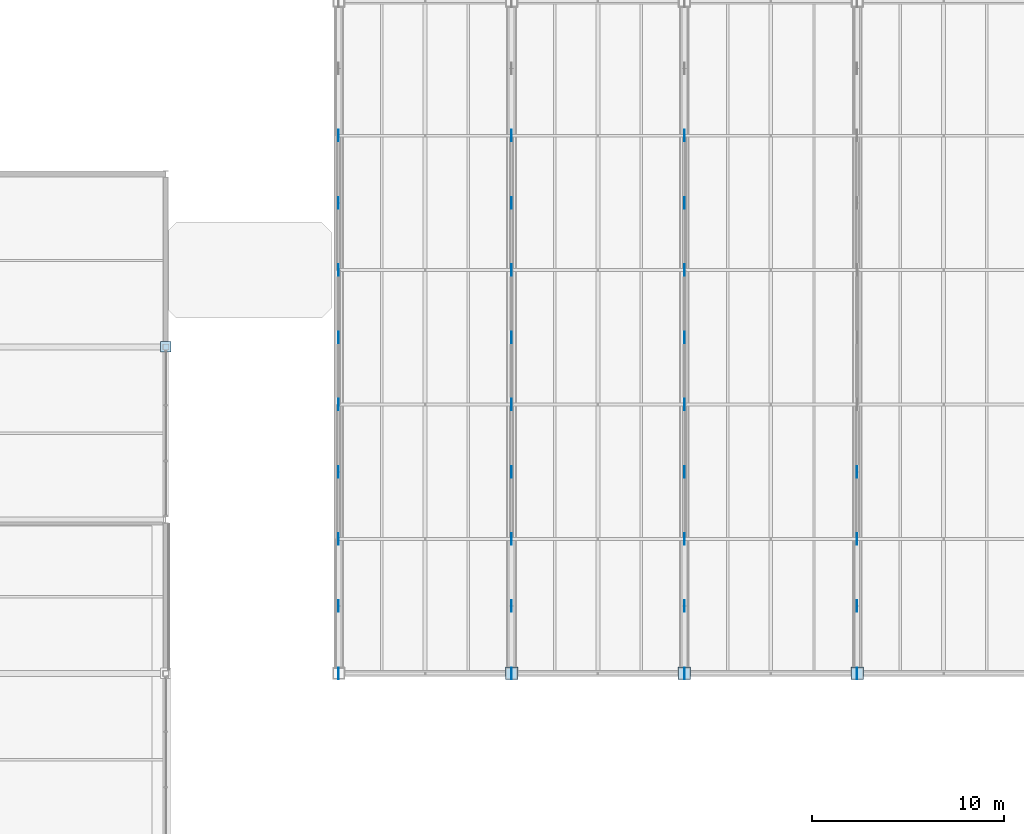
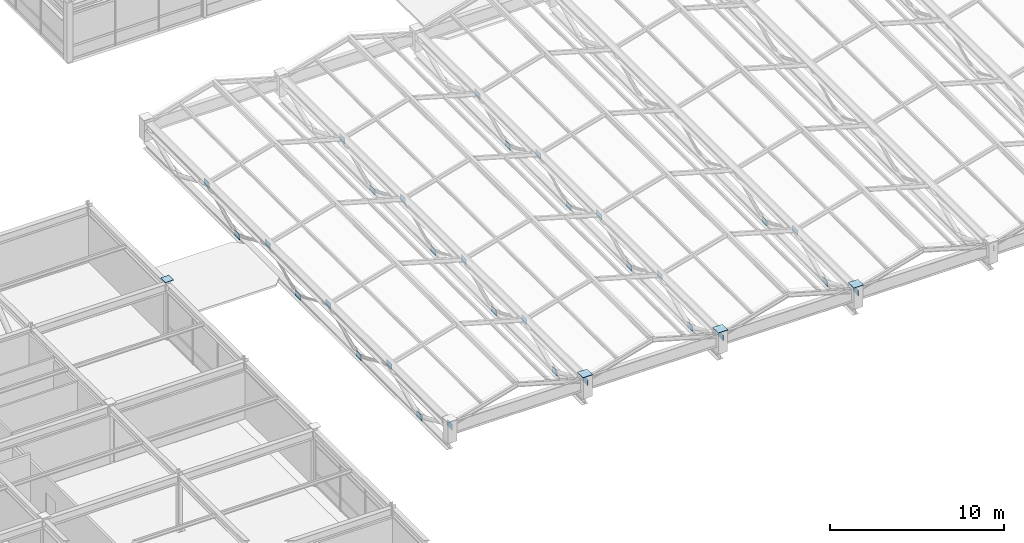
# One storey, part 70 of 108: 35 plates.
"""IFC4 building model written with IfcOpenShell, lengths in metres."""

from ifc_helpers import new_model, si_unit, direction, frame, origin, origin_2d, place, context, subcontext, project, spatial, rectangle, extrude, material, layer, layer_set, type_object, element, save


model = new_model("IFC4")

# Units and contexts
model_context = context("Model", 3, precision=1e-05, world=origin(), true_north=direction((0.0, 1.0)))
body_context = subcontext(model_context, "Body", "Model", "MODEL_VIEW")
ifc_project = project(units=[si_unit("LENGTHUNIT", "METRE"), si_unit("AREAUNIT", "SQUARE_METRE"), si_unit("VOLUMEUNIT", "CUBIC_METRE"), si_unit("PLANEANGLEUNIT", "RADIAN"), si_unit("MASSUNIT", "GRAM", prefix="KILO")], contexts=[model_context])

# Site, building, storey
site_placement = place(None, origin())
site = spatial("IfcSite", under=ifc_project, at=site_placement, CompositionType="ELEMENT")
building_placement = place(site_placement, origin())
building = spatial("IfcBuilding", under=site, at=building_placement, Name="Suzunagisa Mobility Hub", CompositionType="ELEMENT")
storey_placement = place(building_placement, frame((0.0, 0.0, 9.300048828125)))
storey = spatial("IfcBuildingStorey", under=building, at=storey_placement, Name="L02", CompositionType="ELEMENT", Elevation=9.300048828125)

# Plates
ifc_material = material(Name="Steel SN490B", Category="steel")
ifc_layer_1 = layer(ifc_material, 0.02392578125)
ifc_layer_set_1 = layer_set([ifc_layer_1], Name="Steel SN490B")
plate_type_1 = type_object("IfcPlateType", Name="Structural Steel Plate SP-01 550x550x24", PredefinedType="USERDEFINED", material=ifc_layer_set_1)
plate_placement = place(storey_placement, frame((36.0, 53.0, 4.139892578125), z_axis=(0.0, 0.0, 1.0), x_axis=(1.0, 0.0, 0.0)))
element("IfcPlate", 1, at=plate_placement, inside=storey, type_object=plate_type_1, Name="L02 Column Cap Plate CP-83", ObjectType="BASE PLATE", PredefinedType="USERDEFINED", context=body_context, shape_type="SweptSolid", body=[
    extrude(rectangle(XDim=0.550048828125, YDim=0.550048828125, at=origin_2d()), origin(), (0.0, 0.0, 1.0), 0.02392578125),
])
ifc_layer_2 = layer(ifc_material, 0.031982421875)
ifc_layer_set_2 = layer_set([ifc_layer_2], Name="Steel SN490B")
plate_type_2 = type_object("IfcPlateType", Name="Structural Steel Plate SP-05 650x650x32", PredefinedType="USERDEFINED", material=ifc_layer_set_2)
for number, where, z_axis, x_axis, name in (
    (2, (54.0, 36.0, 1.5), (0.0, 0.0, 1.0), (1.0, 0.0, 0.0), "L02 Column Cap Plate CP-126"),
    (3, (63.0, 36.0, 1.5), (0.0, 0.0, 1.0), (1.0, 0.0, 0.0), "L02 Column Cap Plate CP-135"),
    (4, (72.0, 36.0, 1.5), (0.0, 0.0, 1.0), (1.0, 0.0, 0.0), "L02 Column Cap Plate CP-151"),
):
    element("IfcPlate", number, at=place(storey_placement, frame(where, z_axis=z_axis, x_axis=x_axis)), inside=storey, type_object=plate_type_2, Name=name, ObjectType="BASE PLATE", PredefinedType="USERDEFINED", context=body_context, shape_type="SweptSolid", body=[
        extrude(rectangle(XDim=0.64990234375, YDim=0.64990234375, at=origin_2d()), origin(), (0.0, 0.0, 1.0), 0.031982421875),
    ])
ifc_layer_3 = layer(ifc_material, 0.028076171875)
ifc_layer_set_3 = layer_set([ifc_layer_3], Name="Steel SN490B")
plate_type_3 = type_object("IfcPlateType", Name="Structural Steel Plate SP-06 600x400x28", PredefinedType="USERDEFINED", material=ifc_layer_set_3)
for number, where, z_axis, x_axis, name in (
    (5, (45.0, 39.5, -0.646240234375), (0.0, 0.0, 1.0), (1.0, 0.0, 0.0), "Folded-Plate Truss Node Gusset GP-1"),
    (6, (45.0, 46.5, -0.646240234375), (0.0, 0.0, 1.0), (1.0, 0.0, 0.0), "Folded-Plate Truss Node Gusset GP-2"),
    (7, (45.0, 53.5, -0.646240234375), (0.0, 0.0, 1.0), (1.0, 0.0, 0.0), "Folded-Plate Truss Node Gusset GP-3"),
    (8, (45.0, 60.5, -0.646240234375), (0.0, 0.0, 1.0), (1.0, 0.0, 0.0), "Folded-Plate Truss Node Gusset GP-4"),
    (9, (45.0, 36.0, 0.853759765625), (0.0, 0.0, 1.0), (1.0, 0.0, 0.0), "Folded-Plate Truss Top-Chord Node Gusset TGP-6"),
    (10, (45.0, 43.0, 0.853759765625), (0.0, 0.0, 1.0), (1.0, 0.0, 0.0), "Folded-Plate Truss Top-Chord Node Gusset TGP-7"),
    (11, (45.0, 50.0, 0.853759765625), (0.0, 0.0, 1.0), (1.0, 0.0, 0.0), "Folded-Plate Truss Top-Chord Node Gusset TGP-8"),
    (12, (45.0, 57.0, 0.853759765625), (0.0, 0.0, 1.0), (1.0, 0.0, 0.0), "Folded-Plate Truss Top-Chord Node Gusset TGP-9"),
    (13, (45.0, 64.0, 0.853759765625), (0.0, 0.0, 1.0), (1.0, 0.0, 0.0), "Folded-Plate Truss Top-Chord Node Gusset TGP-10"),
    (14, (54.0, 39.5, -0.646240234375), (0.0, 0.0, 1.0), (1.0, 0.0, 0.0), "Folded-Plate Truss Node Gusset GP-12"),
    (15, (54.0, 46.5, -0.646240234375), (0.0, 0.0, 1.0), (1.0, 0.0, 0.0), "Folded-Plate Truss Node Gusset GP-13"),
    (16, (54.0, 53.5, -0.646240234375), (0.0, 0.0, 1.0), (1.0, 0.0, 0.0), "Folded-Plate Truss Node Gusset GP-14"),
    (17, (54.0, 60.5, -0.646240234375), (0.0, 0.0, 1.0), (1.0, 0.0, 0.0), "Folded-Plate Truss Node Gusset GP-15"),
    (18, (54.0, 36.0, 0.853759765625), (0.0, 0.0, 1.0), (1.0, 0.0, 0.0), "Folded-Plate Truss Top-Chord Node Gusset TGP-17"),
    (19, (54.0, 43.0, 0.853759765625), (0.0, 0.0, 1.0), (1.0, 0.0, 0.0), "Folded-Plate Truss Top-Chord Node Gusset TGP-18"),
    (20, (54.0, 50.0, 0.853759765625), (0.0, 0.0, 1.0), (1.0, 0.0, 0.0), "Folded-Plate Truss Top-Chord Node Gusset TGP-19"),
    (21, (54.0, 57.0, 0.853759765625), (0.0, 0.0, 1.0), (1.0, 0.0, 0.0), "Folded-Plate Truss Top-Chord Node Gusset TGP-20"),
    (22, (54.0, 64.0, 0.853759765625), (0.0, 0.0, 1.0), (1.0, 0.0, 0.0), "Folded-Plate Truss Top-Chord Node Gusset TGP-21"),
    (23, (63.0, 39.5, -0.646240234375), (0.0, 0.0, 1.0), (1.0, 0.0, 0.0), "Folded-Plate Truss Node Gusset GP-23"),
    (24, (63.0, 46.5, -0.646240234375), (0.0, 0.0, 1.0), (1.0, 0.0, 0.0), "Folded-Plate Truss Node Gusset GP-24"),
    (25, (63.0, 53.5, -0.646240234375), (0.0, 0.0, 1.0), (1.0, 0.0, 0.0), "Folded-Plate Truss Node Gusset GP-25"),
    (26, (63.0, 60.5, -0.646240234375), (0.0, 0.0, 1.0), (1.0, 0.0, 0.0), "Folded-Plate Truss Node Gusset GP-26"),
    (27, (63.0, 36.0, 0.853759765625), (0.0, 0.0, 1.0), (1.0, 0.0, 0.0), "Folded-Plate Truss Top-Chord Node Gusset TGP-28"),
    (28, (63.0, 43.0, 0.853759765625), (0.0, 0.0, 1.0), (1.0, 0.0, 0.0), "Folded-Plate Truss Top-Chord Node Gusset TGP-29"),
    (29, (63.0, 50.0, 0.853759765625), (0.0, 0.0, 1.0), (1.0, 0.0, 0.0), "Folded-Plate Truss Top-Chord Node Gusset TGP-30"),
    (30, (63.0, 57.0, 0.853759765625), (0.0, 0.0, 1.0), (1.0, 0.0, 0.0), "Folded-Plate Truss Top-Chord Node Gusset TGP-31"),
    (31, (63.0, 64.0, 0.853759765625), (0.0, 0.0, 1.0), (1.0, 0.0, 0.0), "Folded-Plate Truss Top-Chord Node Gusset TGP-32"),
    (32, (72.0, 39.5, -0.646240234375), (0.0, 0.0, 1.0), (1.0, 0.0, 0.0), "Folded-Plate Truss Node Gusset GP-34"),
    (33, (72.0, 46.5, -0.646240234375), (0.0, 0.0, 1.0), (1.0, 0.0, 0.0), "Folded-Plate Truss Node Gusset GP-35"),
    (34, (72.0, 36.0, 0.853759765625), (0.0, 0.0, 1.0), (1.0, 0.0, 0.0), "Folded-Plate Truss Top-Chord Node Gusset TGP-39"),
    (35, (72.0, 43.0, 0.853759765625), (0.0, 0.0, 1.0), (1.0, 0.0, 0.0), "Folded-Plate Truss Top-Chord Node Gusset TGP-40"),
):
    element("IfcPlate", number, at=place(storey_placement, frame(where, z_axis=z_axis, x_axis=x_axis)), inside=storey, type_object=plate_type_3, Name=name, ObjectType="GUSSET PLATE", PredefinedType="USERDEFINED", context=body_context, shape_type="SweptSolid", body=[
        extrude(rectangle(XDim=0.028076171875, YDim=0.60009765625, at=origin_2d()), origin(), (0.0, 0.0, 1.0), 0.39990234375),
    ])

save(model, "model.ifc")
